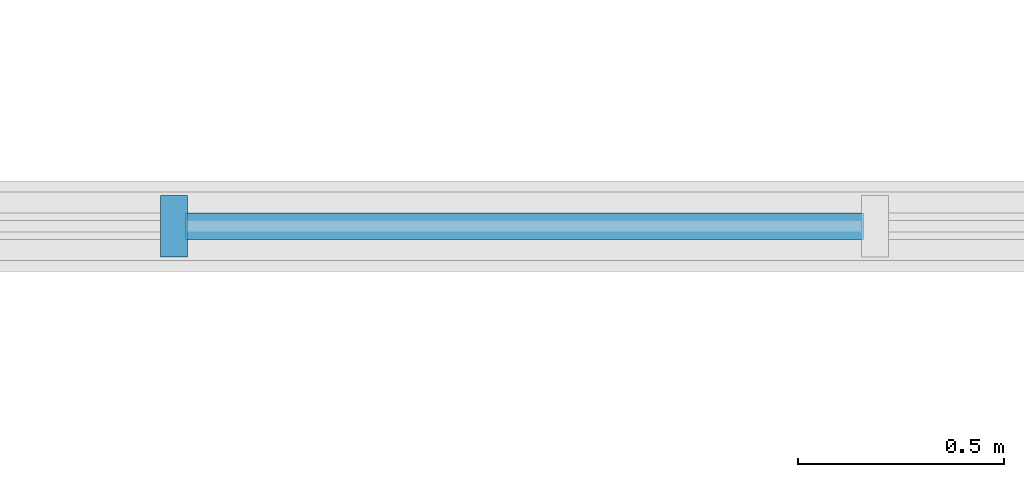
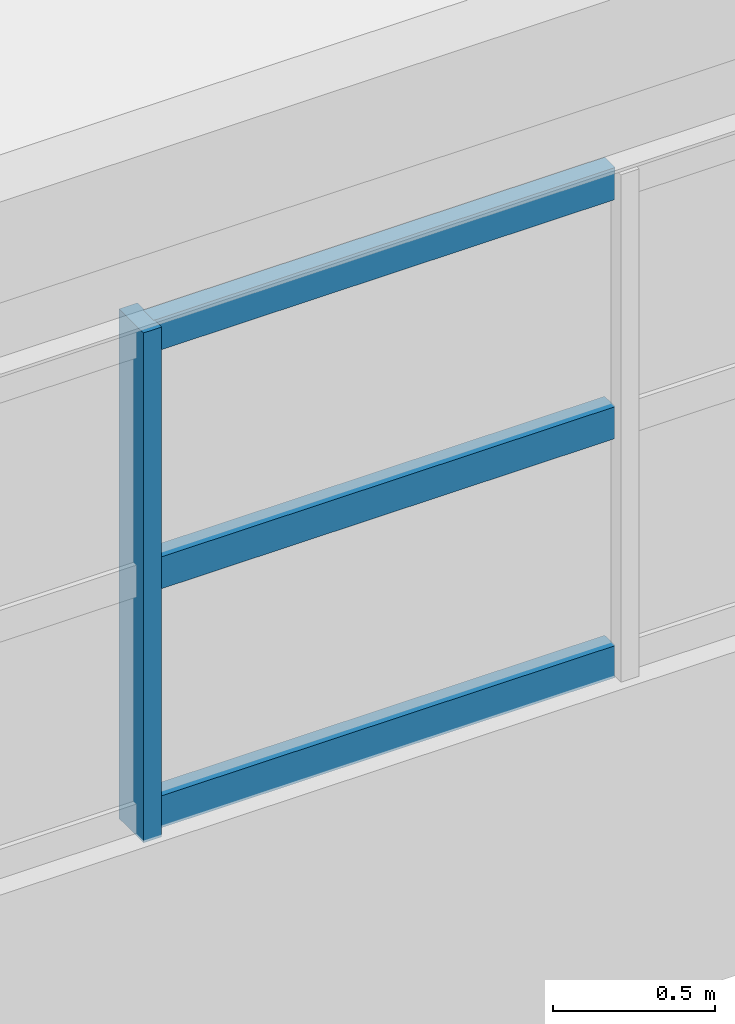
# One storey, part 21 of 90: 4 members, 1 element without a shape of its own.
"""IFC4 building model written with IfcOpenShell, lengths in metres."""

from ifc_helpers import new_model, si_unit, direction, frame, origin, origin_2d, place, context, subcontext, project, spatial, rectangle, extrude, material, material_profile, profile_set, type_object, element, aggregate, save


model = new_model("IFC4")

# Units and contexts
model_context = context("Model", 3, precision=1e-05, world=origin(), true_north=direction((0.0, 1.0)))
body_context = subcontext(model_context, "Body", "Model", "MODEL_VIEW")
ifc_project = project(units=[si_unit("LENGTHUNIT", "METRE"), si_unit("AREAUNIT", "SQUARE_METRE"), si_unit("VOLUMEUNIT", "CUBIC_METRE"), si_unit("PLANEANGLEUNIT", "RADIAN"), si_unit("MASSUNIT", "GRAM", prefix="KILO")], contexts=[model_context])

# Site, building, storey
site_placement = place(None, origin())
site = spatial("IfcSite", under=ifc_project, at=site_placement, CompositionType="ELEMENT")
building_placement = place(site_placement, origin())
building = spatial("IfcBuilding", under=site, at=building_placement, Name="Solanera Park Tramway Depot", CompositionType="ELEMENT")
storey_placement = place(building_placement, frame((0.0, 0.0, 9.0)))
storey = spatial("IfcBuildingStorey", under=building, at=storey_placement, Name="L02", CompositionType="ELEMENT", Elevation=9.0)

# Curtain wall, members
ifc_material_1 = material(Name="Bronze-anodised thermally broken aluminium curtain wall", Category="aluminium")
curtain_wall_type = type_object("IfcCurtainWallType", Name="Workshop Daylight Ribbon Curtain Wall", PredefinedType="NOTDEFINED", material=ifc_material_1)
curtain_wall_placement = place(storey_placement, origin())
curtain_wall = element("IfcCurtainWall", 1, at=curtain_wall_placement, inside=storey, type_object=curtain_wall_type, Name="L02 Workshop Daylight Ribbon Curtain Wall #160", PredefinedType="NOTDEFINED")
ifc_material_2 = material(Name="Bronze-anodised structural aluminium 6063-T6", Category="aluminium")
ifc_material_profile_1 = material_profile(ifc_material_2, rectangle(XDim=0.06494140625, YDim=0.14990234375, at=origin_2d()), Name="Curtain Wall Mullion 65x150")
ifc_profile_set_1 = profile_set([ifc_material_profile_1], Name="Bronze-anodised structural aluminium 6063-T6")
member_type_1 = type_object("IfcMemberType", Name="Curtain Wall Mullion 65x150", PredefinedType="MULLION", material=ifc_profile_set_1)
member_1_placement = place(storey_placement, frame((62.39990234375, 54.0, 1.0), z_axis=(0.0, 0.0, 1.0), x_axis=(1.0, 0.0, 0.0)))
member_1 = element("IfcMember", 2, at=member_1_placement, type_object=member_type_1, Name="CW-L02-160 Mullion 8", PredefinedType="MULLION", context=body_context, shape_type="SweptSolid", body=[
    extrude(rectangle(XDim=0.06494140625, YDim=0.14990234375, at=origin_2d()), origin(), (0.0, 0.0, 1.0), 1.919921875),
])
ifc_material_3 = material(Name="Bronze-anodised structural aluminium 6063-T6", Category="aluminium")
ifc_material_profile_2 = material_profile(ifc_material_3, rectangle(XDim=0.06494140625, YDim=0.1201171875, at=origin_2d()), Name="Curtain Wall Transom 65x120")
ifc_profile_set_2 = profile_set([ifc_material_profile_2], Name="Bronze-anodised structural aluminium 6063-T6")
member_type_2 = type_object("IfcMemberType", Name="Curtain Wall Transom 65x120", PredefinedType="USERDEFINED", material=ifc_profile_set_2)
member_2_placement = place(storey_placement, frame((64.072021484375, 54.0, 1.06005859375), z_axis=(-1.0, 0.0, 0.0), x_axis=(0.0, -1.0, 0.0)))
member_2 = element("IfcMember", 3, at=member_2_placement, type_object=member_type_2, Name="CW-L02-160 Transom R1.C7", ObjectType="TRANSOM", PredefinedType="USERDEFINED", context=body_context, shape_type="SweptSolid", body=[
    extrude(rectangle(XDim=0.06494140625, YDim=0.1201171875, at=origin_2d()), origin(), (0.0, 0.0, 1.0), 1.64404296875),
])
member_3_placement = place(storey_placement, frame((64.072021484375, 54.0, 1.9599609375), z_axis=(-1.0, 0.0, 0.0), x_axis=(0.0, -1.0, 0.0)))
member_3 = element("IfcMember", 4, at=member_3_placement, type_object=member_type_2, Name="CW-L02-160 Transom R2.C7", ObjectType="TRANSOM", PredefinedType="USERDEFINED", context=body_context, shape_type="SweptSolid", body=[
    extrude(rectangle(XDim=0.06494140625, YDim=0.1201171875, at=origin_2d()), origin(), (0.0, 0.0, 1.0), 1.64404296875),
])
member_4_placement = place(storey_placement, frame((64.072021484375, 54.0, 2.860107421875), z_axis=(-1.0, 0.0, 0.0), x_axis=(0.0, -1.0, 0.0)))
member_4 = element("IfcMember", 5, at=member_4_placement, type_object=member_type_2, Name="CW-L02-160 Transom R3.C7", ObjectType="TRANSOM", PredefinedType="USERDEFINED", context=body_context, shape_type="SweptSolid", body=[
    extrude(rectangle(XDim=0.06494140625, YDim=0.1201171875, at=origin_2d()), origin(), (0.0, 0.0, 1.0), 1.64404296875),
])
aggregate(curtain_wall, [member_1, member_2, member_3, member_4])

save(model, "model.ifc")
